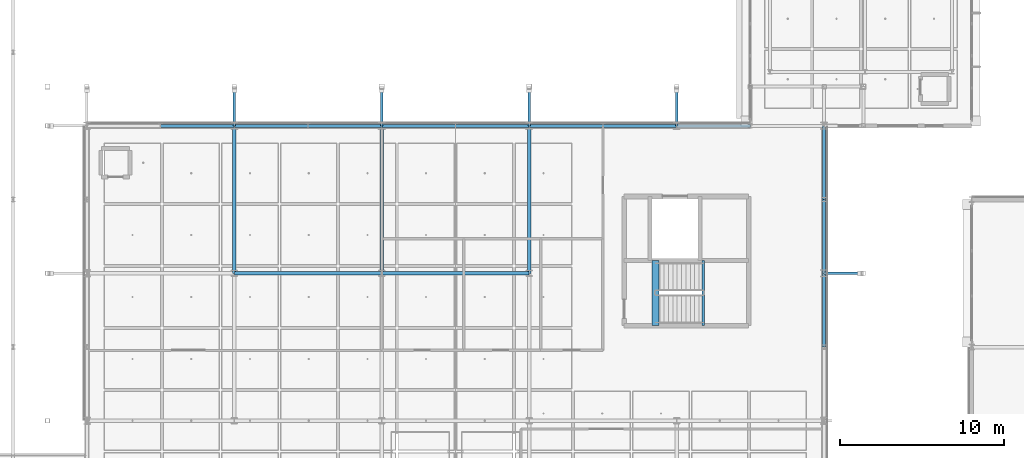
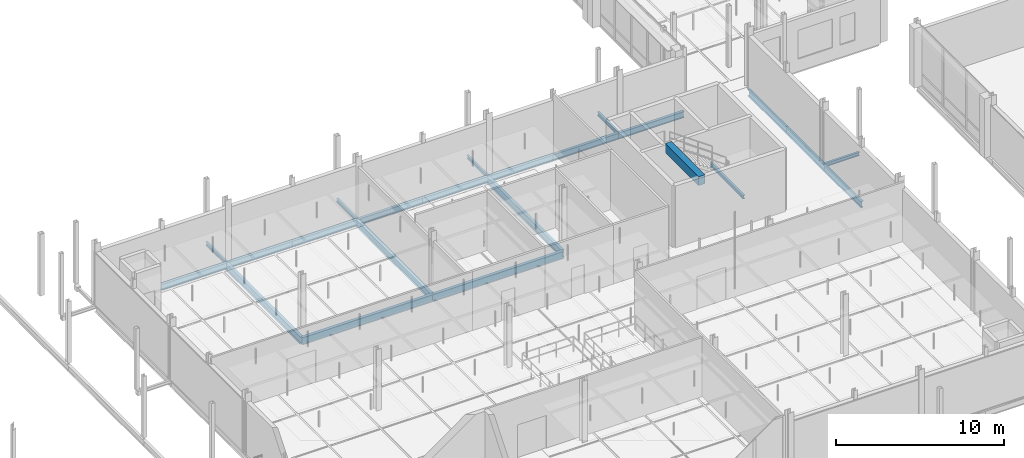
# One storey, part 28 of 130: 23 beams.
"""IFC4 building model written with IfcOpenShell, lengths in metres."""

from ifc_helpers import new_model, si_unit, direction, frame, origin, origin_2d, place, context, subcontext, project, spatial, rectangle, i_section, extrude, material, material_profile, profile_set, type_object, element, save


model = new_model("IFC4")

# Units and contexts
model_context = context("Model", 3, precision=1e-05, world=origin(), true_north=direction((0.0, 1.0)))
body_context = subcontext(model_context, "Body", "Model", "MODEL_VIEW")
ifc_project = project(units=[si_unit("LENGTHUNIT", "METRE"), si_unit("AREAUNIT", "SQUARE_METRE"), si_unit("VOLUMEUNIT", "CUBIC_METRE"), si_unit("PLANEANGLEUNIT", "RADIAN"), si_unit("MASSUNIT", "GRAM", prefix="KILO"), si_unit("THERMODYNAMICTEMPERATUREUNIT", "KELVIN"), si_unit("POWERUNIT", "WATT")], contexts=[model_context])

# Site, building, storey
site_placement = place(None, origin())
site = spatial("IfcSite", under=ifc_project, at=site_placement, CompositionType="ELEMENT")
building_placement = place(site_placement, origin())
building = spatial("IfcBuilding", under=site, at=building_placement, Name="Tallowbark Science Centre", CompositionType="ELEMENT")
storey_placement = place(building_placement, frame((0.0, 0.0, 5.39990234375)))
storey = spatial("IfcBuildingStorey", under=building, at=storey_placement, Name="L01", CompositionType="ELEMENT", Elevation=5.39990234375)

# Beams
ifc_material_1 = material(Name="Concrete Grade N40 (40 MPa)", Category="concrete")
ifc_material_profile_1 = material_profile(ifc_material_1, rectangle(XDim=0.449951171875, YDim=0.64990234375, at=origin_2d()), Name="RC450x650")
ifc_profile_set_1 = profile_set([ifc_material_profile_1], Name="Concrete Grade N40 (40 MPa)")
beam_type_1 = type_object("IfcBeamType", Name="BM-GB2-N40", PredefinedType="BEAM", material=ifc_profile_set_1)
beam_1_placement = place(storey_placement, frame((93.2099609375, 28.300048828125, 4.175048828125), z_axis=(0.0, 1.0, 0.0), x_axis=(-1.0, 0.0, 0.0)))
element("IfcBeam", 1, at=beam_1_placement, inside=storey, type_object=beam_type_1, Name="Stair ST-03 Landing Nosing Beam L01", PredefinedType="BEAM", context=body_context, shape_type="SweptSolid", body=[
    extrude(rectangle(XDim=0.449951171875, YDim=0.64990234375, at=origin_2d()), origin(), (0.0, 0.0, 1.0), 3.994873046875),
])
ifc_material_2 = material(Name="White Architectural Painted Steel Grade C350L0 (350 MPa)", Category="steel")
ifc_material_profile_2 = material_profile(ifc_material_2, i_section(OverallWidth=0.146484375, OverallDepth=0.256103515625, WebThickness=0.00634765625, FlangeThickness=0.010986328125, FilletRadius=0.0087890625, at=origin_2d()), Name="250UB37.3")
ifc_profile_set_2 = profile_set([ifc_material_profile_2], Name="White Architectural Painted Steel Grade C350L0 (350 MPa)")
beam_type_2 = type_object("IfcBeamType", Name="BM-OUT250", PredefinedType="BEAM", material=ifc_profile_set_2)
for number, where, z_axis, x_axis, name in (
    (2, (67.5, 40.5, -0.25), (0.0, 1.0, 0.0), (-1.0, 0.0, 0.0), "Star Screen Outrigger Tie Beam N-4"),
    (3, (76.5, 40.5, -0.25), (0.0, 1.0, 0.0), (-1.0, 0.0, 0.0), "Star Screen Outrigger Tie Beam N-6"),
    (4, (85.5, 40.5, -0.25), (0.0, 1.0, 0.0), (-1.0, 0.0, 0.0), "Star Screen Outrigger Tie Beam N-8"),
    (5, (94.5, 40.5, -0.25), (0.0, 1.0, 0.0), (-1.0, 0.0, 0.0), "Star Screen Outrigger Tie Beam N-10"),
    (6, (103.5, 31.5, -0.25), (1.0, 0.0, 0.0), (0.0, 1.0, 0.0), "Star Screen Outrigger Tie Beam E-17"),
):
    element("IfcBeam", number, at=place(storey_placement, frame(where, z_axis=z_axis, x_axis=x_axis)), inside=storey, type_object=beam_type_2, Name=name, PredefinedType="BEAM", context=body_context, shape_type="SweptSolid", body=[
        extrude(i_section(OverallWidth=0.146484375, OverallDepth=0.256103515625, WebThickness=0.00634765625, FlangeThickness=0.010986328125, FilletRadius=0.0087890625, at=origin_2d()), origin(), (0.0, 0.0, 1.0), 2.39990234375),
    ])
ifc_material_3 = material(Name="Structural Steel Grade 300PLUS (300 MPa)", Category="steel")
ifc_material_profile_3 = material_profile(ifc_material_3, i_section(OverallWidth=0.208984375, OverallDepth=0.532958984375, WebThickness=0.01025390625, FlangeThickness=0.015625, FilletRadius=0.013916015625, at=origin_2d()), Name="530UB92.4")
ifc_profile_set_3 = profile_set([ifc_material_profile_3], Name="Structural Steel Grade 300PLUS (300 MPa)")
beam_type_3 = type_object("IfcBeamType", Name="BM-UB530A", PredefinedType="BEAM", material=ifc_profile_set_3)
for number, where, z_axis, x_axis, name in (
    (7, (67.5, 31.5, -0.4462890625), (1.0, 0.0, 0.0), (0.0, 1.0, 0.0), "Primary Girder GRDX-L01-675-765-315"),
    (8, (76.5, 31.5, -0.4462890625), (1.0, 0.0, 0.0), (0.0, 1.0, 0.0), "Primary Girder GRDX-L01-765-855-315"),
):
    element("IfcBeam", number, at=place(storey_placement, frame(where, z_axis=z_axis, x_axis=x_axis)), inside=storey, type_object=beam_type_3, Name=name, PredefinedType="BEAM", context=body_context, shape_type="SweptSolid", body=[
        extrude(i_section(OverallWidth=0.208984375, OverallDepth=0.532958984375, WebThickness=0.01025390625, FlangeThickness=0.015625, FilletRadius=0.013916015625, at=origin_2d()), origin(), (0.0, 0.0, 1.0), 9.0),
    ])
ifc_material_profile_4 = material_profile(ifc_material_3, i_section(OverallWidth=0.208740234375, OverallDepth=0.5283203125, WebThickness=0.009521484375, FlangeThickness=0.01318359375, FilletRadius=0.013916015625, at=origin_2d()), Name="530UB82.0")
ifc_profile_set_4 = profile_set([ifc_material_profile_4], Name="Structural Steel Grade 300PLUS (300 MPa)")
beam_type_4 = type_object("IfcBeamType", Name="BM-UB530B", PredefinedType="BEAM", material=ifc_profile_set_4)
for number, where, z_axis, x_axis, name in (
    (9, (67.5, 31.5, -0.444091796875), (0.0, 1.0, 0.0), (-1.0, 0.0, 0.0), "Primary Girder GRDY-L01-675-315-405"),
    (10, (76.5, 31.5, -0.444091796875), (0.0, 1.0, 0.0), (-1.0, 0.0, 0.0), "Primary Girder GRDY-L01-765-315-405"),
    (11, (85.5, 31.5, -0.444091796875), (0.0, 1.0, 0.0), (-1.0, 0.0, 0.0), "Primary Girder GRDY-L01-855-315-405"),
):
    element("IfcBeam", number, at=place(storey_placement, frame(where, z_axis=z_axis, x_axis=x_axis)), inside=storey, type_object=beam_type_4, Name=name, PredefinedType="BEAM", context=body_context, shape_type="SweptSolid", body=[
        extrude(i_section(OverallWidth=0.208740234375, OverallDepth=0.5283203125, WebThickness=0.009521484375, FlangeThickness=0.01318359375, FilletRadius=0.013916015625, at=origin_2d()), origin(), (0.0, 0.0, 1.0), 9.0),
    ])
ifc_material_profile_5 = material_profile(ifc_material_3, i_section(OverallWidth=0.146484375, OverallDepth=0.256103515625, WebThickness=0.00634765625, FlangeThickness=0.010986328125, FilletRadius=0.0087890625, at=origin_2d()), Name="250UB37.3")
ifc_profile_set_5 = profile_set([ifc_material_profile_5], Name="Structural Steel Grade 300PLUS (300 MPa)")
beam_type_5 = type_object("IfcBeamType", Name="JST-UB250", PredefinedType="JOIST", material=ifc_profile_set_5)
beam_2_placement = place(storey_placement, frame((96.125, 28.300048828125, 1.922119140625), z_axis=(0.0, 1.0, 0.0), x_axis=(-1.0, 0.0, 0.0)))
element("IfcBeam", 12, at=beam_2_placement, inside=storey, type_object=beam_type_5, Name="Stair ST-03 Half-Landing Trimmer L01", PredefinedType="JOIST", context=body_context, shape_type="SweptSolid", body=[
    extrude(i_section(OverallWidth=0.146484375, OverallDepth=0.256103515625, WebThickness=0.00634765625, FlangeThickness=0.010986328125, FilletRadius=0.0087890625, at=origin_2d()), origin(), (0.0, 0.0, 1.0), 3.994873046875),
])
ifc_material_profile_6 = material_profile(ifc_material_3, i_section(OverallWidth=0.18994140625, OverallDepth=0.453857421875, WebThickness=0.008544921875, FlangeThickness=0.0126953125, FilletRadius=0.011474609375, at=origin_2d()), Name="460UB67.1")
ifc_profile_set_6 = profile_set([ifc_material_profile_6], Name="Structural Steel Grade 300PLUS (300 MPa)")
beam_type_6 = type_object("IfcBeamType", Name="SPN-UB460", PredefinedType="SPANDREL", material=ifc_profile_set_6)
for number, where, z_axis, x_axis, name in (
    (13, (63.0, 40.5, -0.40673828125), (1.0, 0.0, 0.0), (0.0, 1.0, 0.0), "Primary Girder GRDX-L01-630-675-405"),
    (14, (67.5, 40.5, -0.40673828125), (1.0, 0.0, 0.0), (0.0, 1.0, 0.0), "Primary Girder GRDX-L01-675-720-405"),
    (15, (72.0, 40.5, -0.40673828125), (1.0, 0.0, 0.0), (0.0, 1.0, 0.0), "Primary Girder GRDX-L01-720-765-405"),
    (16, (76.5, 40.5, -0.40673828125), (1.0, 0.0, 0.0), (0.0, 1.0, 0.0), "Primary Girder GRDX-L01-765-810-405"),
    (17, (81.0, 40.5, -0.40673828125), (1.0, 0.0, 0.0), (0.0, 1.0, 0.0), "Primary Girder GRDX-L01-810-855-405"),
    (18, (85.5, 40.5, -0.40673828125), (1.0, 0.0, 0.0), (0.0, 1.0, 0.0), "Primary Girder GRDX-L01-855-900-405"),
    (19, (90.0, 40.5, -0.40673828125), (1.0, 0.0, 0.0), (0.0, 1.0, 0.0), "Primary Girder GRDX-L01-900-945-405"),
    (20, (94.5, 40.5, -0.40673828125), (1.0, 0.0, 0.0), (0.0, 1.0, 0.0), "Primary Girder GRDX-L01-945-990-405"),
    (21, (103.5, 27.0, -0.40673828125), (0.0, 1.0, 0.0), (-1.0, 0.0, 0.0), "Primary Girder GRDY-L01-1035-270-315"),
    (22, (103.5, 31.5, -0.40673828125), (0.0, 1.0, 0.0), (-1.0, 0.0, 0.0), "Primary Girder GRDY-L01-1035-315-360"),
    (23, (103.5, 36.0, -0.40673828125), (0.0, 1.0, 0.0), (-1.0, 0.0, 0.0), "Primary Girder GRDY-L01-1035-360-405"),
):
    element("IfcBeam", number, at=place(storey_placement, frame(where, z_axis=z_axis, x_axis=x_axis)), inside=storey, type_object=beam_type_6, Name=name, PredefinedType="SPANDREL", context=body_context, shape_type="SweptSolid", body=[
        extrude(i_section(OverallWidth=0.18994140625, OverallDepth=0.453857421875, WebThickness=0.008544921875, FlangeThickness=0.0126953125, FilletRadius=0.011474609375, at=origin_2d()), origin(), (0.0, 0.0, 1.0), 4.5),
    ])

save(model, "model.ifc")
